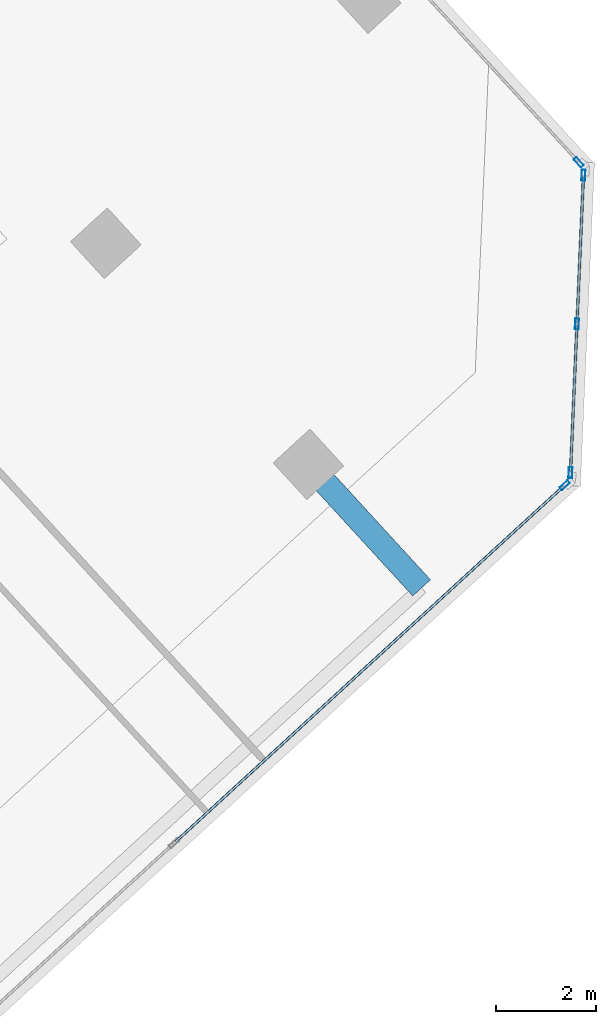
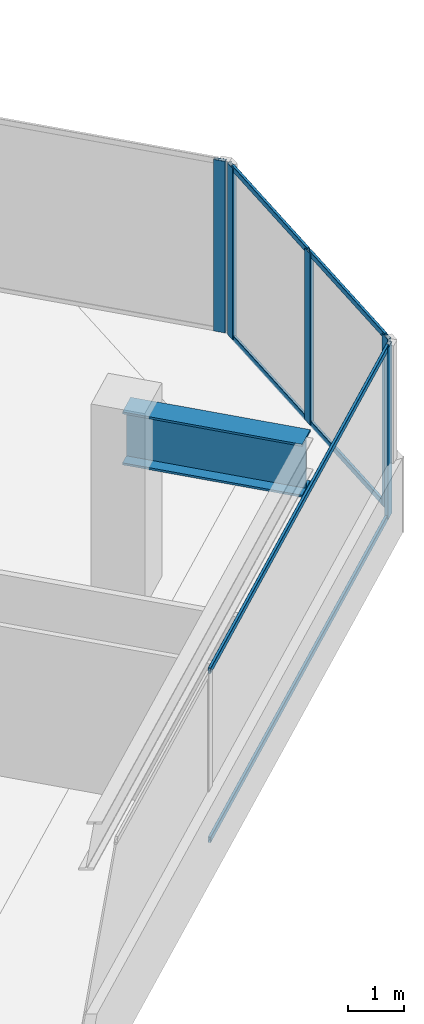
# One storey, part 6 of 18: 11 members, 1 beam, 3 elements without a shape of their own.
"""IFC4 building model written with IfcOpenShell, lengths in metres."""

from ifc_helpers import new_model, si_unit, direction, frame, origin, origin_2d, place, context, subcontext, project, spatial, hollow_rectangle, i_section, extrude, source, transform, mapped, material, material_profile, profile_set, type_object, element, aggregate, save


model = new_model("IFC4")

# Units and contexts
model_context = context("Model", 3, precision=1e-05, world=origin(), true_north=direction((0.0, 1.0)))
body_context = subcontext(model_context, "Body", "Model", "MODEL_VIEW")
ifc_project = project(units=[si_unit("LENGTHUNIT", "METRE"), si_unit("AREAUNIT", "SQUARE_METRE"), si_unit("VOLUMEUNIT", "CUBIC_METRE"), si_unit("PLANEANGLEUNIT", "RADIAN"), si_unit("MASSUNIT", "GRAM", prefix="KILO")], contexts=[model_context])

# Site, building, storey
site_placement = place(None, origin())
site = spatial("IfcSite", under=ifc_project, at=site_placement, CompositionType="ELEMENT")
building_placement = place(site_placement, origin())
building = spatial("IfcBuilding", under=site, at=building_placement, Name="Torre Montelarca", CompositionType="ELEMENT")
storey_placement = place(building_placement, frame((0.0, 0.0, 258.39990234375)))
storey = spatial("IfcBuildingStorey", under=building, at=storey_placement, Name="L58", CompositionType="ELEMENT", Elevation=258.39990234375)

# Beam
ifc_material_1 = material(Name="Steel ASTM A572 Grade 50", Category="steel")
ifc_material_profile_1 = material_profile(ifc_material_1, i_section(OverallWidth=0.47998046875, OverallDepth=1.14990234375, WebThickness=0.02197265625, FlangeThickness=0.044921875, at=origin_2d()), Name="PG1150X480X22X45", Category="steel")
ifc_profile_set_1 = profile_set([ifc_material_profile_1], Name="Steel ASTM A572 Grade 50")
beam_type = type_object("IfcBeamType", Name="BM-CG-PG1400-EXT", PredefinedType="USERDEFINED", material=ifc_profile_set_1)
shared_shape_1 = source(origin(), body_context, "Body", "SweptSolid", [
    extrude(i_section(OverallWidth=0.47998046875, OverallDepth=1.14990234375, WebThickness=0.02197265625, FlangeThickness=0.044921875, at=origin_2d()), origin(), (0.0, 0.0, 1.0), 3.349853515625),
])
beam_placement = place(storey_placement, frame((41.247802734375, 22.29052734375, 3.385009765625), z_axis=(0.675605810146, -0.737263039421, 0.0), x_axis=(0.737263039421, 0.675605810146, 0.0)))
element("IfcBeam", 1, at=beam_placement, inside=storey, type_object=beam_type, Name="L58 Sliding Tray Cantilever Girder East Y=40m (FLR)", ObjectType="CANTILEVER GIRDER", PredefinedType="USERDEFINED", context=body_context, shape_type="MappedRepresentation", body=[
    mapped(shared_shape_1, transform((0.0, 0.0, 0.0), scale=1.0)),
])

# Curtain wall, members
ifc_material_2 = material(Name="Insulated low-E laminated glass", Category="glass")
curtain_wall_type = type_object("IfcCurtainWallType", Name="CW-SYS-Z3", PredefinedType="USERDEFINED", material=ifc_material_2)
curtain_wall_1_placement = place(storey_placement, origin())
curtain_wall_1 = element("IfcCurtainWall", 2, at=curtain_wall_1_placement, inside=storey, type_object=curtain_wall_type, Name="L58 Curtain Wall Run CW-T3-L58-E07-B1", ObjectType="UNITISED GLAZING", PredefinedType="USERDEFINED")
ifc_material_3 = material(Name="Anodised aluminium AA 6063-T6", Category="aluminium")
ifc_material_profile_2 = material_profile(ifc_material_3, hollow_rectangle(XDim=0.054931640625, YDim=0.1201171875, WallThickness=0.00341796875, InnerFilletRadius=0.00341796875, OuterFilletRadius=0.007080078125, at=origin_2d()), Name="ALU55X120X3.5", Category="aluminium")
ifc_profile_set_2 = profile_set([ifc_material_profile_2], Name="Anodised aluminium AA 6063-T6")
member_type_1 = type_object("IfcMemberType", Name="CWT-ALU120", PredefinedType="USERDEFINED", material=ifc_profile_set_2)
shared_shape_2 = source(origin(), body_context, "Body", "SweptSolid", [
    extrude(hollow_rectangle(XDim=0.054931640625, YDim=0.1201171875, WallThickness=0.00341796875, InnerFilletRadius=0.00341796875, OuterFilletRadius=0.007080078125, at=origin_2d()), origin(), (0.0, 0.0, 1.0), 2.903564453125),
])
member_1_placement = place(storey_placement, frame((46.4912109375, 22.1611328125, 0.027587890625), z_axis=(0.043637906688, 0.999047412839, 0.0), x_axis=(-0.999047412839, 0.043637906688, 0.0)))
member_1 = element("IfcMember", 3, at=member_1_placement, type_object=member_type_1, Name="CW transom 1.1", ObjectType="TRANSOM", PredefinedType="USERDEFINED", context=body_context, shape_type="MappedRepresentation", body=[
    mapped(shared_shape_2, transform((0.0, 0.0, 0.0), scale=1.0)),
])
member_2_placement = place(storey_placement, frame((46.4912109375, 22.1611328125, 3.692626953125), z_axis=(0.043637906688, 0.999047412839, 0.0), x_axis=(-0.999047412839, 0.043637906688, 0.0)))
member_2 = element("IfcMember", 4, at=member_2_placement, type_object=member_type_1, Name="CW transom 1.2", ObjectType="TRANSOM", PredefinedType="USERDEFINED", context=body_context, shape_type="MappedRepresentation", body=[
    mapped(shared_shape_2, transform((0.0, 0.0, 0.0), scale=1.0)),
])
member_3_placement = place(storey_placement, frame((46.62109375, 25.136962890625, 0.027587890625), z_axis=(0.043637906688, 0.999047412839, 0.0), x_axis=(-0.999047412839, 0.043637906688, 0.0)))
member_3 = element("IfcMember", 5, at=member_3_placement, type_object=member_type_1, Name="CW transom 2.1", ObjectType="TRANSOM", PredefinedType="USERDEFINED", context=body_context, shape_type="MappedRepresentation", body=[
    mapped(shared_shape_2, transform((0.0, 0.0, 0.0), scale=1.0)),
])
member_4_placement = place(storey_placement, frame((46.62109375, 25.136962890625, 3.692626953125), z_axis=(0.043637906688, 0.999047412839, 0.0), x_axis=(-0.999047412839, 0.043637906688, 0.0)))
member_4 = element("IfcMember", 6, at=member_4_placement, type_object=member_type_1, Name="CW transom 2.2", ObjectType="TRANSOM", PredefinedType="USERDEFINED", context=body_context, shape_type="MappedRepresentation", body=[
    mapped(shared_shape_2, transform((0.0, 0.0, 0.0), scale=1.0)),
])

curtain_wall_2_placement = place(storey_placement, origin())
curtain_wall_2 = element("IfcCurtainWall", 7, at=curtain_wall_2_placement, inside=storey, type_object=curtain_wall_type, Name="L58 Curtain Wall Run CW-T3-L58-E06-B1", ObjectType="UNITISED GLAZING", PredefinedType="USERDEFINED")
shared_shape_3 = source(origin(), body_context, "Body", "SweptSolid", [
    extrude(hollow_rectangle(XDim=0.054931640625, YDim=0.1201171875, WallThickness=0.00341796875, InnerFilletRadius=0.00341796875, OuterFilletRadius=0.007080078125, at=origin_2d()), origin(), (0.0, 0.0, 1.0), 10.521484375),
])
member_5_placement = place(storey_placement, frame((38.587890625, 14.73974609375, 0.027587890625), z_axis=(0.737283193408, 0.675583816205, 0.0), x_axis=(-0.675583816205, 0.737283193408, 0.0)))
member_5 = element("IfcMember", 8, at=member_5_placement, type_object=member_type_1, Name="CW transom 2.1", ObjectType="TRANSOM", PredefinedType="USERDEFINED", context=body_context, shape_type="MappedRepresentation", body=[
    mapped(shared_shape_3, transform((0.0, 0.0, 0.0), scale=1.0)),
])
member_6_placement = place(storey_placement, frame((38.587890625, 14.73974609375, 3.692626953125), z_axis=(0.737283193408, 0.675583816205, 0.0), x_axis=(-0.675583816205, 0.737283193408, 0.0)))
member_6 = element("IfcMember", 9, at=member_6_placement, type_object=member_type_1, Name="CW transom 2.2", ObjectType="TRANSOM", PredefinedType="USERDEFINED", context=body_context, shape_type="MappedRepresentation", body=[
    mapped(shared_shape_3, transform((0.0, 0.0, 0.0), scale=1.0)),
])
ifc_material_profile_3 = material_profile(ifc_material_3, hollow_rectangle(XDim=0.074951171875, YDim=0.219970703125, WallThickness=0.0048828125, InnerFilletRadius=0.0048828125, OuterFilletRadius=0.010009765625, at=origin_2d()), Name="ALU75X220X5", Category="aluminium")
ifc_profile_set_3 = profile_set([ifc_material_profile_3], Name="Anodised aluminium AA 6063-T6")
member_type_2 = type_object("IfcMemberType", Name="CWM-ALU220", PredefinedType="MULLION", material=ifc_profile_set_3)
shared_shape_4 = source(origin(), body_context, "Body", "SweptSolid", [
    extrude(hollow_rectangle(XDim=0.074951171875, YDim=0.219970703125, WallThickness=0.0048828125, InnerFilletRadius=0.0048828125, OuterFilletRadius=0.010009765625, at=origin_2d()), origin(), (0.0, 0.0, 1.0), 3.72021484375),
])
member_7_placement = place(storey_placement, frame((46.372802734375, 21.873291015625, 0.0), z_axis=(0.0, 0.0, 1.0), x_axis=(-0.675587287841, 0.73728001228, 0.0)))
member_7 = element("IfcMember", 10, at=member_7_placement, type_object=member_type_2, Name="CW mullion 3", PredefinedType="MULLION", context=body_context, shape_type="MappedRepresentation", body=[
    mapped(shared_shape_4, transform((0.0, 0.0, 0.0), scale=1.0)),
])
aggregate(curtain_wall_2, [member_7, member_5, member_6])

# Member
member_8_placement = place(storey_placement, frame((46.489501953125, 22.123779296875, 0.0), z_axis=(0.0, 0.0, 1.0), x_axis=(-0.999048385364, 0.043615635968, 0.0)))
member_8 = element("IfcMember", 11, at=member_8_placement, type_object=member_type_2, Name="CW mullion 1", PredefinedType="MULLION", context=body_context, shape_type="MappedRepresentation", body=[
    mapped(shared_shape_4, transform((0.0, 0.0, 0.0), scale=1.0)),
])

member_9_placement = place(storey_placement, frame((46.619384765625, 25.099365234375, 0.0), z_axis=(0.0, 0.0, 1.0), x_axis=(-0.999048385364, 0.043615635968, 0.0)))
member_9 = element("IfcMember", 12, at=member_9_placement, type_object=member_type_2, Name="CW mullion 2", PredefinedType="MULLION", context=body_context, shape_type="MappedRepresentation", body=[
    mapped(shared_shape_4, transform((0.0, 0.0, 0.0), scale=1.0)),
])

member_10_placement = place(storey_placement, frame((46.749267578125, 28.0751953125, 0.0), z_axis=(0.0, 0.0, 1.0), x_axis=(-0.999048385364, 0.043615635968, 0.0)))
member_10 = element("IfcMember", 13, at=member_10_placement, type_object=member_type_2, Name="CW mullion 3", PredefinedType="MULLION", context=body_context, shape_type="MappedRepresentation", body=[
    mapped(shared_shape_4, transform((0.0, 0.0, 0.0), scale=1.0)),
])

aggregate(curtain_wall_1, [member_8, member_9, member_10, member_1, member_2, member_3, member_4])

# Curtain wall, member
curtain_wall_3_placement = place(storey_placement, origin())
curtain_wall_3 = element("IfcCurtainWall", 14, at=curtain_wall_3_placement, inside=storey, type_object=curtain_wall_type, Name="L58 Curtain Wall Run CW-T3-L58-E08-B1", ObjectType="UNITISED GLAZING", PredefinedType="USERDEFINED")
member_11_placement = place(storey_placement, frame((46.65478515625, 28.334716796875, 0.0), z_axis=(0.0, 0.0, 1.0), x_axis=(-0.737280422496, -0.675586840165, 0.0)))
member_11 = element("IfcMember", 15, at=member_11_placement, type_object=member_type_2, Name="CW mullion 1", PredefinedType="MULLION", context=body_context, shape_type="MappedRepresentation", body=[
    mapped(shared_shape_4, transform((0.0, 0.0, 0.0), scale=1.0)),
])
aggregate(curtain_wall_3, [member_11])

save(model, "model.ifc")
